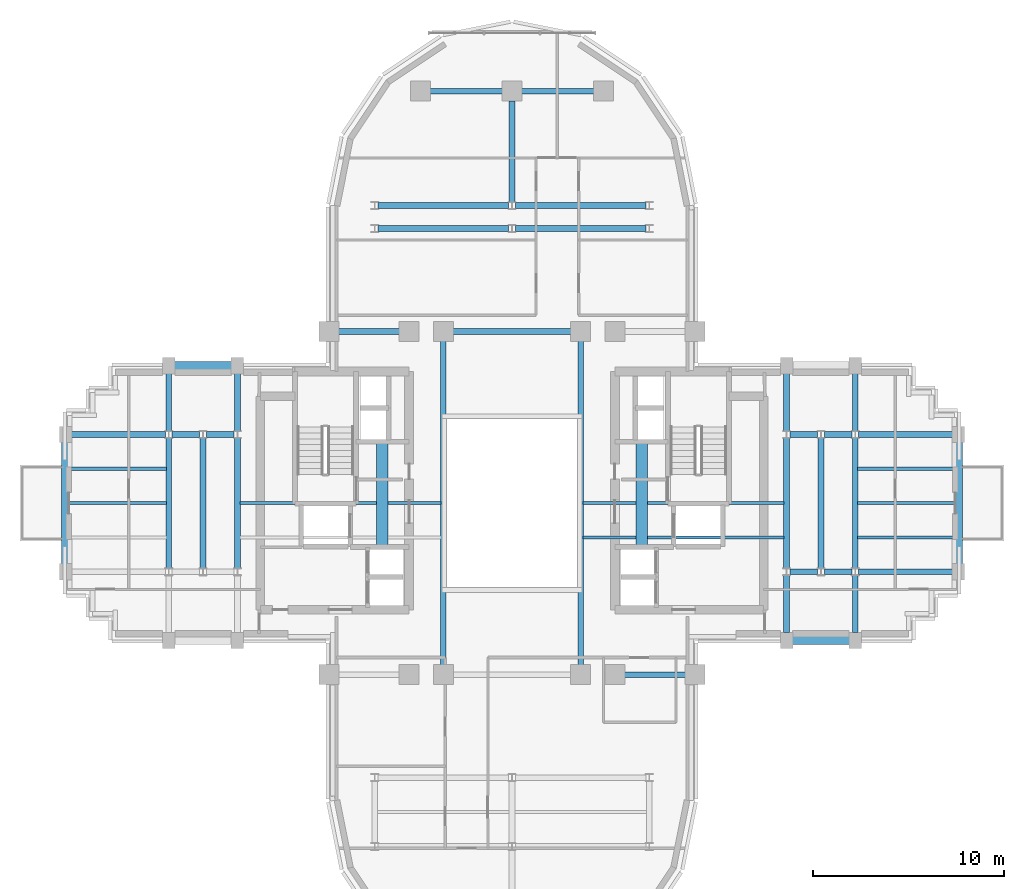
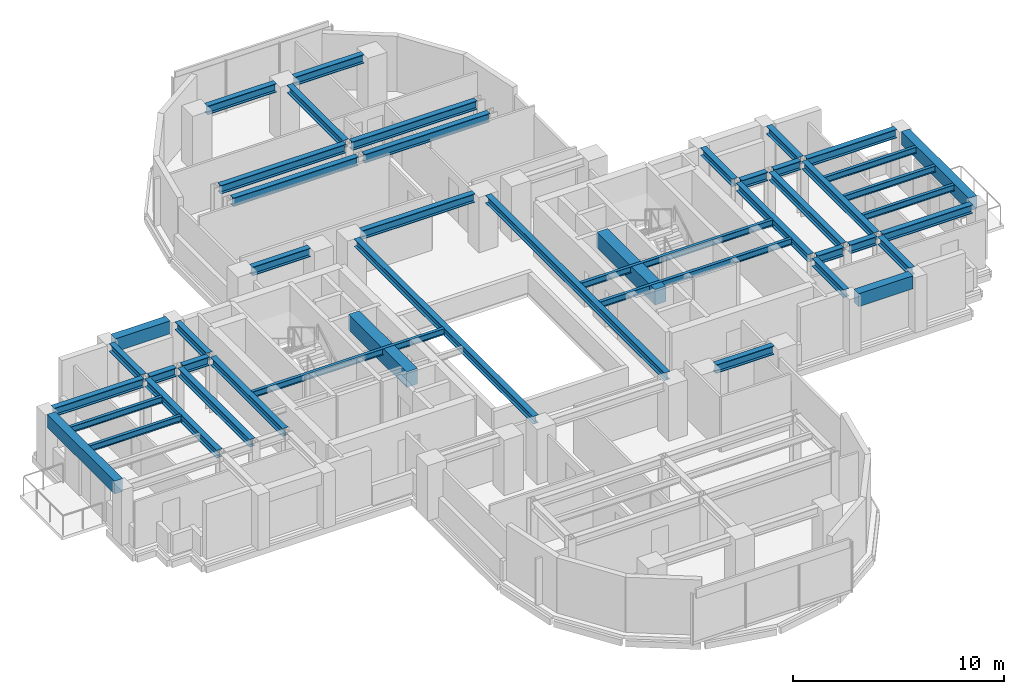
# One storey, part 4 of 13: 47 beams.
"""IFC4 building model written with IfcOpenShell, lengths in metres."""

from ifc_helpers import new_model, si_unit, direction, frame, origin, origin_2d, place, context, subcontext, project, spatial, rectangle, i_section, extrude, source, transform, mapped, material, material_profile, profile_set, type_object, element, save


model = new_model("IFC4")

# Units and contexts
model_context = context("Model", 3, precision=1e-05, world=origin(), true_north=direction((0.0, 1.0)))
body_context = subcontext(model_context, "Body", "Model", "MODEL_VIEW")
ifc_project = project(units=[si_unit("LENGTHUNIT", "METRE"), si_unit("AREAUNIT", "SQUARE_METRE"), si_unit("VOLUMEUNIT", "CUBIC_METRE"), si_unit("PLANEANGLEUNIT", "RADIAN"), si_unit("MASSUNIT", "GRAM", prefix="KILO")], contexts=[model_context])

# Site, building, storey
site_placement = place(None, origin())
site = spatial("IfcSite", under=ifc_project, at=site_placement, CompositionType="ELEMENT")
building_placement = place(site_placement, origin())
building = spatial("IfcBuilding", under=site, at=building_placement, Name="Keilestroom Media Tower", CompositionType="ELEMENT")
storey_placement = place(building_placement, frame((0.0, 0.0, 107.39990234375)))
storey = spatial("IfcBuildingStorey", under=building, at=storey_placement, Name="L28", CompositionType="ELEMENT", Elevation=107.39990234375)

# Beams
ifc_material_1 = material(Name="Concrete C70/85", Category="concrete")
ifc_material_profile_1 = material_profile(ifc_material_1, rectangle(XDim=0.60009765625, YDim=0.89990234375, at=origin_2d()), Name="RC 600x900")
ifc_profile_set_1 = profile_set([ifc_material_profile_1], Name="Concrete C70/85")
beam_type_1 = type_object("IfcBeamType", Name="Core-Coupling-Lintel-Beam-RC-600x900", PredefinedType="LINTEL", material=ifc_profile_set_1)
shared_shape_1 = source(origin(), body_context, "Body", "SweptSolid", [
    extrude(rectangle(XDim=0.60009765625, YDim=0.89990234375, at=origin_2d()), origin(), (0.0, 0.0, 1.0), 5.52001953125),
])
for number, where, z_axis, x_axis, name in (
    (1, (-6.800048828125, -2.300048828125, 2.75), (0.0, 1.0, 0.0), (-1.0, 0.0, 0.0), "L28 Beam CLB-1 CLB-L28-W"),
    (2, (6.800048828125, -2.300048828125, 2.75), (0.0, 1.0, 0.0), (-1.0, 0.0, 0.0), "L28 Beam CLB-1 CLB-L28-E"),
):
    element("IfcBeam", number, at=place(storey_placement, frame(where, z_axis=z_axis, x_axis=x_axis)), inside=storey, type_object=beam_type_1, Name=name, PredefinedType="LINTEL", context=body_context, shape_type="MappedRepresentation", body=[
        mapped(shared_shape_1, transform((0.0, 0.0, 0.0), x_axis=(1.0, 0.0, 0.0), y_axis=(0.0, 1.0, 0.0), z_axis=(0.0, 0.0, 1.0), scale=1.0)),
    ])
ifc_material_2 = material(Name="Steel S355", Category="steel")
ifc_material_profile_2 = material_profile(ifc_material_2, i_section(OverallWidth=0.169921875, OverallDepth=0.360107421875, WebThickness=0.008056640625, FlangeThickness=0.0126953125, at=origin_2d()), Name="IPE 360")
ifc_profile_set_2 = profile_set([ifc_material_profile_2], Name="Steel S355")
beam_type_2 = type_object("IfcBeamType", Name="Secondary-Floor-Joist-IPE-360", PredefinedType="JOIST", material=ifc_profile_set_2)
shared_shape_2 = source(origin(), body_context, "Body", "SweptSolid", [
    extrude(i_section(OverallWidth=0.169921875, OverallDepth=0.360107421875, WebThickness=0.008056640625, FlangeThickness=0.0126953125, at=origin_2d()), origin(), (0.0, 0.0, 1.0), 10.5400390625),
])
for number, where, z_axis, x_axis, name in (
    (3, (3.72998046875, -1.800048828125, 3.02001953125), (1.0, 0.0, 0.0), (0.0, 1.0, 0.0), "L28 Beam BJ-5 JST-L28-074"),
    (4, (-14.27001953125, 0.0, 3.02001953125), (1.0, 0.0, 0.0), (0.0, 1.0, 0.0), "L28 Beam BJ-5 JST-L28-077"),
    (5, (3.72998046875, 0.0, 3.02001953125), (1.0, 0.0, 0.0), (0.0, 1.0, 0.0), "L28 Beam BJ-5 JST-L28-079"),
):
    element("IfcBeam", number, at=place(storey_placement, frame(where, z_axis=z_axis, x_axis=x_axis)), inside=storey, type_object=beam_type_2, Name=name, PredefinedType="JOIST", context=body_context, shape_type="MappedRepresentation", body=[
        mapped(shared_shape_2, transform((0.0, 0.0, 0.0), x_axis=(1.0, 0.0, 0.0), y_axis=(0.0, 1.0, 0.0), z_axis=(0.0, 0.0, 1.0), scale=1.0)),
    ])
ifc_material_profile_3 = material_profile(ifc_material_2, i_section(OverallWidth=0.300048828125, OverallDepth=0.5, WebThickness=0.012451171875, FlangeThickness=0.028076171875, at=origin_2d()), Name="HEB 500")
ifc_profile_set_3 = profile_set([ifc_material_profile_3], Name="Steel S355")
beam_type_3 = type_object("IfcBeamType", Name="Primary-Structural-Girder-HEB-500", PredefinedType="BEAM", material=ifc_profile_set_3)
shared_shape_3 = source(origin(), body_context, "Body", "SweptSolid", [
    extrude(i_section(OverallWidth=0.300048828125, OverallDepth=0.5, WebThickness=0.012451171875, FlangeThickness=0.028076171875, at=origin_2d()), origin(), (0.0, 0.0, 1.0), 3.7900390625),
])
for number, where, z_axis, x_axis, name in (
    (6, (-4.294921875, 21.60009765625, 2.9501953125), (1.0, 0.0, 0.0), (0.0, 1.0, 0.0), "L28 Beam BG-6 BM-L28-EW-037"),
    (7, (0.5048828125, 21.60009765625, 2.9501953125), (1.0, 0.0, 0.0), (0.0, 1.0, 0.0), "L28 Beam BG-6 BM-L28-EW-038"),
):
    element("IfcBeam", number, at=place(storey_placement, frame(where, z_axis=z_axis, x_axis=x_axis)), inside=storey, type_object=beam_type_3, Name=name, PredefinedType="BEAM", context=body_context, shape_type="MappedRepresentation", body=[
        mapped(shared_shape_3, transform((0.0, 0.0, 0.0), x_axis=(1.0, 0.0, 0.0), y_axis=(0.0, 1.0, 0.0), z_axis=(0.0, 0.0, 1.0), scale=1.0)),
    ])
shared_shape_4 = source(origin(), body_context, "Body", "SweptSolid", [
    extrude(i_section(OverallWidth=0.300048828125, OverallDepth=0.5, WebThickness=0.012451171875, FlangeThickness=0.028076171875, at=origin_2d()), origin(), (0.0, 0.0, 1.0), 6.839111328125),
])
for number, where, z_axis, x_axis, name in (
    (8, (-7.01953125, 14.39990234375, 2.9501953125), (1.0, 0.0, 0.0), (0.0, 1.0, 0.0), "L28 Beam BG-6 BM-L28-EW-033"),
    (9, (0.180419921875, 14.39990234375, 2.9501953125), (1.0, 0.0, 0.0), (0.0, 1.0, 0.0), "L28 Beam BG-6 BM-L28-EW-034"),
    (10, (-7.01953125, 15.60009765625, 2.9501953125), (1.0, 0.0, 0.0), (0.0, 1.0, 0.0), "L28 Beam BG-6 BM-L28-EW-035"),
    (11, (0.180419921875, 15.60009765625, 2.9501953125), (1.0, 0.0, 0.0), (0.0, 1.0, 0.0), "L28 Beam BG-6 BM-L28-EW-036"),
):
    element("IfcBeam", number, at=place(storey_placement, frame(where, z_axis=z_axis, x_axis=x_axis)), inside=storey, type_object=beam_type_3, Name=name, PredefinedType="BEAM", context=body_context, shape_type="MappedRepresentation", body=[
        mapped(shared_shape_4, transform((0.0, 0.0, 0.0), x_axis=(1.0, 0.0, 0.0), y_axis=(0.0, 1.0, 0.0), z_axis=(0.0, 0.0, 1.0), scale=1.0)),
    ])
shared_shape_5 = source(origin(), body_context, "Body", "SweptSolid", [
    extrude(i_section(OverallWidth=0.300048828125, OverallDepth=0.5, WebThickness=0.012451171875, FlangeThickness=0.028076171875, at=origin_2d()), origin(), (0.0, 0.0, 1.0), 3.18994140625),
])
for number, where, z_axis, x_axis, name in (
    (12, (5.905029296875, -9.0, 2.9501953125), (1.0, 0.0, 0.0), (0.0, 1.0, 0.0), "L28 Beam BG-6 BM-L28-EW-011"),
    (13, (-9.094970703125, 9.0, 2.9501953125), (1.0, 0.0, 0.0), (0.0, 1.0, 0.0), "L28 Beam BG-6 BM-L28-EW-028"),
):
    element("IfcBeam", number, at=place(storey_placement, frame(where, z_axis=z_axis, x_axis=x_axis)), inside=storey, type_object=beam_type_3, Name=name, PredefinedType="BEAM", context=body_context, shape_type="MappedRepresentation", body=[
        mapped(shared_shape_5, transform((0.0, 0.0, 0.0), x_axis=(1.0, 0.0, 0.0), y_axis=(0.0, 1.0, 0.0), z_axis=(0.0, 0.0, 1.0), scale=1.0)),
    ])
shared_shape_6 = source(origin(), body_context, "Body", "SweptSolid", [
    extrude(i_section(OverallWidth=0.300048828125, OverallDepth=0.5, WebThickness=0.012451171875, FlangeThickness=0.028076171875, at=origin_2d()), origin(), (0.0, 0.0, 1.0), 6.18994140625),
])
beam_1_placement = place(storey_placement, frame((-3.094970703125, 9.0, 2.9501953125), z_axis=(1.0, 0.0, 0.0), x_axis=(0.0, 1.0, 0.0)))
element("IfcBeam", 14, at=beam_1_placement, inside=storey, type_object=beam_type_3, Name="L28 Beam BG-6 BM-L28-EW-030", PredefinedType="BEAM", context=body_context, shape_type="MappedRepresentation", body=[
    mapped(shared_shape_6, transform((0.0, 0.0, 0.0), x_axis=(1.0, 0.0, 0.0), y_axis=(0.0, 1.0, 0.0), z_axis=(0.0, 0.0, 1.0), scale=1.0)),
])
ifc_material_3 = material(Name="Precast concrete C40/50", Category="concrete")
ifc_material_profile_4 = material_profile(ifc_material_3, rectangle(XDim=0.449951171875, YDim=0.75, at=origin_2d()), Name="PC 450x750")
ifc_profile_set_4 = profile_set([ifc_material_profile_4], Name="Precast concrete C40/50")
beam_type_4 = type_object("IfcBeamType", Name="Perimeter-Spandrel-Beam-PC-450x750", PredefinedType="SPANDREL", material=ifc_profile_set_4)
shared_shape_7 = source(origin(), body_context, "Body", "SweptSolid", [
    extrude(rectangle(XDim=0.449951171875, YDim=0.75, at=origin_2d()), origin(), (0.0, 0.0, 1.0), 2.989990234375),
])
for number, where, z_axis, x_axis, name in (
    (15, (14.705078125, -7.199951171875, 2.8251953125), (1.0, 0.0, 0.0), (0.0, 1.0, 0.0), "L28 Beam SPB-1 BM-L28-EW-013"),
    (16, (-17.695068359375, 7.199951171875, 2.8251953125), (1.0, 0.0, 0.0), (0.0, 1.0, 0.0), "L28 Beam SPB-1 BM-L28-EW-026"),
):
    element("IfcBeam", number, at=place(storey_placement, frame(where, z_axis=z_axis, x_axis=x_axis)), inside=storey, type_object=beam_type_4, Name=name, PredefinedType="SPANDREL", context=body_context, shape_type="MappedRepresentation", body=[
        mapped(shared_shape_7, transform((0.0, 0.0, 0.0), x_axis=(1.0, 0.0, 0.0), y_axis=(0.0, 1.0, 0.0), z_axis=(0.0, 0.0, 1.0), scale=1.0)),
    ])
shared_shape_8 = source(origin(), body_context, "Body", "SweptSolid", [
    extrude(i_section(OverallWidth=0.300048828125, OverallDepth=0.5, WebThickness=0.012451171875, FlangeThickness=0.028076171875, at=origin_2d()), origin(), (0.0, 0.0, 1.0), 4.91455078125),
])
for number, where, z_axis, x_axis, name in (
    (17, (18.180419921875, -3.60009765625, 2.9501953125), (1.0, 0.0, 0.0), (0.0, 1.0, 0.0), "L28 Beam BG-6 BM-L28-EW-019"),
    (18, (-23.094970703125, 3.60009765625, 2.9501953125), (1.0, 0.0, 0.0), (0.0, 1.0, 0.0), "L28 Beam BG-6 BM-L28-EW-020"),
    (19, (18.180419921875, 3.60009765625, 2.9501953125), (1.0, 0.0, 0.0), (0.0, 1.0, 0.0), "L28 Beam BG-6 BM-L28-EW-025"),
):
    element("IfcBeam", number, at=place(storey_placement, frame(where, z_axis=z_axis, x_axis=x_axis)), inside=storey, type_object=beam_type_3, Name=name, PredefinedType="BEAM", context=body_context, shape_type="MappedRepresentation", body=[
        mapped(shared_shape_8, transform((0.0, 0.0, 0.0), x_axis=(1.0, 0.0, 0.0), y_axis=(0.0, 1.0, 0.0), z_axis=(0.0, 0.0, 1.0), scale=1.0)),
    ])
shared_shape_9 = source(origin(), body_context, "Body", "SweptSolid", [
    extrude(i_section(OverallWidth=0.300048828125, OverallDepth=0.5, WebThickness=0.012451171875, FlangeThickness=0.028076171875, at=origin_2d()), origin(), (0.0, 0.0, 1.0), 1.43896484375),
])
for number, where, z_axis, x_axis, name in (
    (20, (14.58056640625, -3.60009765625, 2.9501953125), (1.0, 0.0, 0.0), (0.0, 1.0, 0.0), "L28 Beam BG-6 BM-L28-EW-017"),
    (21, (16.380615234375, -3.60009765625, 2.9501953125), (1.0, 0.0, 0.0), (0.0, 1.0, 0.0), "L28 Beam BG-6 BM-L28-EW-018"),
    (22, (-17.819580078125, 3.60009765625, 2.9501953125), (1.0, 0.0, 0.0), (0.0, 1.0, 0.0), "L28 Beam BG-6 BM-L28-EW-021"),
    (23, (-16.01953125, 3.60009765625, 2.9501953125), (1.0, 0.0, 0.0), (0.0, 1.0, 0.0), "L28 Beam BG-6 BM-L28-EW-022"),
    (24, (14.58056640625, 3.60009765625, 2.9501953125), (1.0, 0.0, 0.0), (0.0, 1.0, 0.0), "L28 Beam BG-6 BM-L28-EW-023"),
    (25, (16.380615234375, 3.60009765625, 2.9501953125), (1.0, 0.0, 0.0), (0.0, 1.0, 0.0), "L28 Beam BG-6 BM-L28-EW-024"),
):
    element("IfcBeam", number, at=place(storey_placement, frame(where, z_axis=z_axis, x_axis=x_axis)), inside=storey, type_object=beam_type_3, Name=name, PredefinedType="BEAM", context=body_context, shape_type="MappedRepresentation", body=[
        mapped(shared_shape_9, transform((0.0, 0.0, 0.0), x_axis=(1.0, 0.0, 0.0), y_axis=(0.0, 1.0, 0.0), z_axis=(0.0, 0.0, 1.0), scale=1.0)),
    ])
shared_shape_10 = source(origin(), body_context, "Body", "SweptSolid", [
    extrude(rectangle(XDim=0.449951171875, YDim=0.75, at=origin_2d()), origin(), (0.0, 0.0, 1.0), 6.39013671875),
])
for number, where, z_axis, x_axis, name in (
    (26, (-23.39990234375, -3.195068359375, 2.8251953125), (0.0, 1.0, 0.0), (-1.0, 0.0, 0.0), "L28 Beam SPB-1 BM-L28-NS-039"),
    (27, (23.39990234375, -3.195068359375, 2.8251953125), (0.0, 1.0, 0.0), (-1.0, 0.0, 0.0), "L28 Beam SPB-1 BM-L28-NS-068"),
):
    element("IfcBeam", number, at=place(storey_placement, frame(where, z_axis=z_axis, x_axis=x_axis)), inside=storey, type_object=beam_type_4, Name=name, PredefinedType="SPANDREL", context=body_context, shape_type="MappedRepresentation", body=[
        mapped(shared_shape_10, transform((0.0, 0.0, 0.0), x_axis=(1.0, 0.0, 0.0), y_axis=(0.0, 1.0, 0.0), z_axis=(0.0, 0.0, 1.0), scale=1.0)),
    ])
ifc_material_profile_5 = material_profile(ifc_material_2, i_section(OverallWidth=0.300048828125, OverallDepth=0.449951171875, WebThickness=0.011962890625, FlangeThickness=0.02587890625, at=origin_2d()), Name="HEB 450")
ifc_profile_set_5 = profile_set([ifc_material_profile_5], Name="Steel S355")
beam_type_5 = type_object("IfcBeamType", Name="Primary-Structural-Girder-HEB-450", PredefinedType="BEAM", material=ifc_profile_set_5)
shared_shape_11 = source(origin(), body_context, "Body", "SweptSolid", [
    extrude(i_section(OverallWidth=0.300048828125, OverallDepth=0.449951171875, WebThickness=0.011962890625, FlangeThickness=0.02587890625, at=origin_2d()), origin(), (0.0, 0.0, 1.0), 3.015380859375),
])
for number, where, z_axis, x_axis, name in (
    (28, (-18.0, 3.779541015625, 2.97509765625), (0.0, 1.0, 0.0), (-1.0, 0.0, 0.0), "L28 Beam BG-7 BM-L28-NS-042"),
    (29, (-14.39990234375, 3.779541015625, 2.97509765625), (0.0, 1.0, 0.0), (-1.0, 0.0, 0.0), "L28 Beam BG-7 BM-L28-NS-046"),
    (30, (14.39990234375, -6.794921875, 2.97509765625), (0.0, 1.0, 0.0), (-1.0, 0.0, 0.0), "L28 Beam BG-7 BM-L28-NS-061"),
    (31, (14.39990234375, 3.779541015625, 2.97509765625), (0.0, 1.0, 0.0), (-1.0, 0.0, 0.0), "L28 Beam BG-7 BM-L28-NS-063"),
    (32, (18.0, -6.794921875, 2.97509765625), (0.0, 1.0, 0.0), (-1.0, 0.0, 0.0), "L28 Beam BG-7 BM-L28-NS-065"),
    (33, (18.0, 3.779541015625, 2.97509765625), (0.0, 1.0, 0.0), (-1.0, 0.0, 0.0), "L28 Beam BG-7 BM-L28-NS-067"),
):
    element("IfcBeam", number, at=place(storey_placement, frame(where, z_axis=z_axis, x_axis=x_axis)), inside=storey, type_object=beam_type_5, Name=name, PredefinedType="BEAM", context=body_context, shape_type="MappedRepresentation", body=[
        mapped(shared_shape_11, transform((0.0, 0.0, 0.0), x_axis=(1.0, 0.0, 0.0), y_axis=(0.0, 1.0, 0.0), z_axis=(0.0, 0.0, 1.0), scale=1.0)),
    ])
shared_shape_12 = source(origin(), body_context, "Body", "SweptSolid", [
    extrude(i_section(OverallWidth=0.300048828125, OverallDepth=0.449951171875, WebThickness=0.011962890625, FlangeThickness=0.02587890625, at=origin_2d()), origin(), (0.0, 0.0, 1.0), 6.8408203125),
])
for number, where, z_axis, x_axis, name in (
    (34, (-18.0, -3.42041015625, 2.97509765625), (0.0, 1.0, 0.0), (-1.0, 0.0, 0.0), "L28 Beam BG-7 BM-L28-NS-041"),
    (35, (-16.199951171875, -3.42041015625, 2.97509765625), (0.0, 1.0, 0.0), (-1.0, 0.0, 0.0), "L28 Beam BG-7 BM-L28-NS-043"),
    (36, (-14.39990234375, -3.42041015625, 2.97509765625), (0.0, 1.0, 0.0), (-1.0, 0.0, 0.0), "L28 Beam BG-7 BM-L28-NS-045"),
    (37, (14.39990234375, -3.42041015625, 2.97509765625), (0.0, 1.0, 0.0), (-1.0, 0.0, 0.0), "L28 Beam BG-7 BM-L28-NS-062"),
    (38, (16.199951171875, -3.42041015625, 2.97509765625), (0.0, 1.0, 0.0), (-1.0, 0.0, 0.0), "L28 Beam BG-7 BM-L28-NS-064"),
    (39, (18.0, -3.42041015625, 2.97509765625), (0.0, 1.0, 0.0), (-1.0, 0.0, 0.0), "L28 Beam BG-7 BM-L28-NS-066"),
):
    element("IfcBeam", number, at=place(storey_placement, frame(where, z_axis=z_axis, x_axis=x_axis)), inside=storey, type_object=beam_type_5, Name=name, PredefinedType="BEAM", context=body_context, shape_type="MappedRepresentation", body=[
        mapped(shared_shape_12, transform((0.0, 0.0, 0.0), x_axis=(1.0, 0.0, 0.0), y_axis=(0.0, 1.0, 0.0), z_axis=(0.0, 0.0, 1.0), scale=1.0)),
    ])
shared_shape_13 = source(origin(), body_context, "Body", "SweptSolid", [
    extrude(i_section(OverallWidth=0.300048828125, OverallDepth=0.449951171875, WebThickness=0.011962890625, FlangeThickness=0.02587890625, at=origin_2d()), origin(), (0.0, 0.0, 1.0), 16.990234375),
])
for number, where, z_axis, x_axis, name in (
    (40, (-3.60009765625, -8.4951171875, 2.97509765625), (0.0, 1.0, 0.0), (-1.0, 0.0, 0.0), "L28 Beam BG-7 BM-L28-NS-051"),
    (41, (3.60009765625, -8.4951171875, 2.97509765625), (0.0, 1.0, 0.0), (-1.0, 0.0, 0.0), "L28 Beam BG-7 BM-L28-NS-056"),
):
    element("IfcBeam", number, at=place(storey_placement, frame(where, z_axis=z_axis, x_axis=x_axis)), inside=storey, type_object=beam_type_5, Name=name, PredefinedType="BEAM", context=body_context, shape_type="MappedRepresentation", body=[
        mapped(shared_shape_13, transform((0.0, 0.0, 0.0), x_axis=(1.0, 0.0, 0.0), y_axis=(0.0, 1.0, 0.0), z_axis=(0.0, 0.0, 1.0), scale=1.0)),
    ])
shared_shape_14 = source(origin(), body_context, "Body", "SweptSolid", [
    extrude(i_section(OverallWidth=0.300048828125, OverallDepth=0.449951171875, WebThickness=0.011962890625, FlangeThickness=0.02587890625, at=origin_2d()), origin(), (0.0, 0.0, 1.0), 5.3154296875),
])
beam_2_placement = place(storey_placement, frame((0.0, 15.779541015625, 2.97509765625), z_axis=(0.0, 1.0, 0.0), x_axis=(-1.0, 0.0, 0.0)))
element("IfcBeam", 42, at=beam_2_placement, inside=storey, type_object=beam_type_5, Name="L28 Beam BG-7 BM-L28-NS-055", PredefinedType="BEAM", context=body_context, shape_type="MappedRepresentation", body=[
    mapped(shared_shape_14, transform((0.0, 0.0, 0.0), x_axis=(1.0, 0.0, 0.0), y_axis=(0.0, 1.0, 0.0), z_axis=(0.0, 0.0, 1.0), scale=1.0)),
])
shared_shape_15 = source(origin(), body_context, "Body", "SweptSolid", [
    extrude(i_section(OverallWidth=0.169921875, OverallDepth=0.360107421875, WebThickness=0.008056640625, FlangeThickness=0.0126953125, at=origin_2d()), origin(), (0.0, 0.0, 1.0), 5.065185546875),
])
for number, where, z_axis, x_axis, name in (
    (43, (18.1298828125, -1.800048828125, 3.02001953125), (1.0, 0.0, 0.0), (0.0, 1.0, 0.0), "L28 Beam BJ-5 JST-L28-075"),
    (44, (-23.195068359375, 0.0, 3.02001953125), (1.0, 0.0, 0.0), (0.0, 1.0, 0.0), "L28 Beam BJ-5 JST-L28-076"),
    (45, (18.1298828125, 0.0, 3.02001953125), (1.0, 0.0, 0.0), (0.0, 1.0, 0.0), "L28 Beam BJ-5 JST-L28-080"),
    (46, (-23.195068359375, 1.800048828125, 3.02001953125), (1.0, 0.0, 0.0), (0.0, 1.0, 0.0), "L28 Beam BJ-5 JST-L28-081"),
    (47, (18.1298828125, 1.800048828125, 3.02001953125), (1.0, 0.0, 0.0), (0.0, 1.0, 0.0), "L28 Beam BJ-5 JST-L28-085"),
):
    element("IfcBeam", number, at=place(storey_placement, frame(where, z_axis=z_axis, x_axis=x_axis)), inside=storey, type_object=beam_type_2, Name=name, PredefinedType="JOIST", context=body_context, shape_type="MappedRepresentation", body=[
        mapped(shared_shape_15, transform((0.0, 0.0, 0.0), x_axis=(1.0, 0.0, 0.0), y_axis=(0.0, 1.0, 0.0), z_axis=(0.0, 0.0, 1.0), scale=1.0)),
    ])

save(model, "model.ifc")
